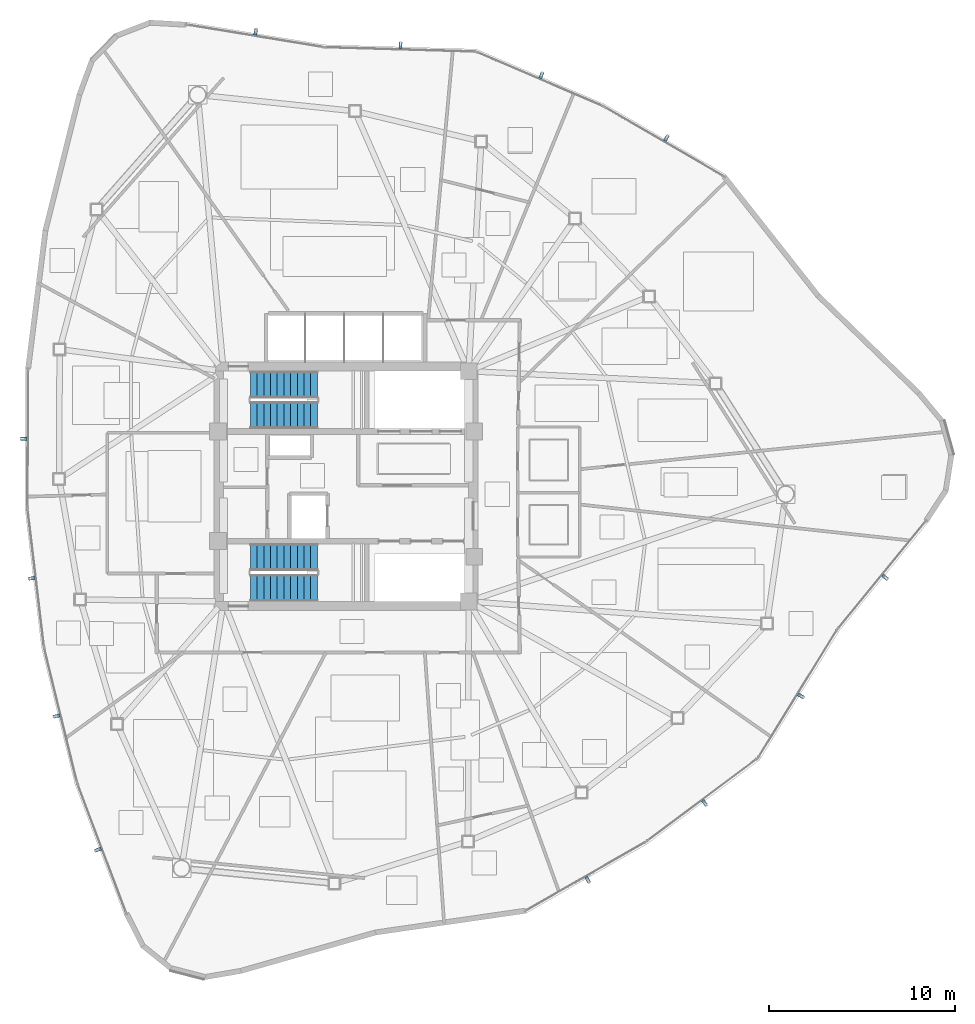
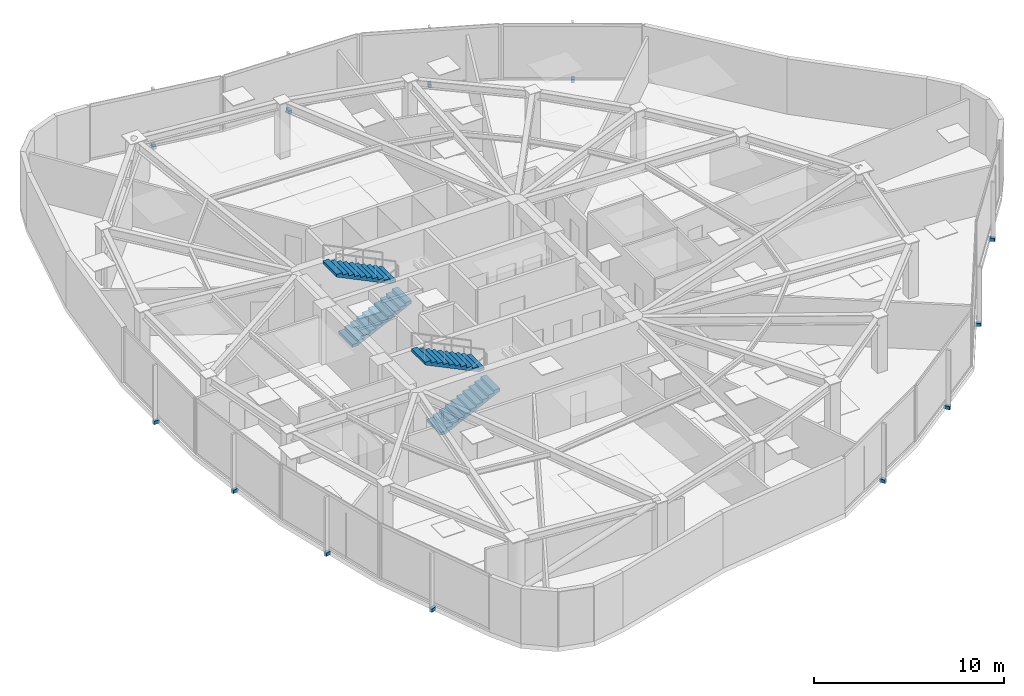
# One storey, part 14 of 18: 12 discrete accessories, 4 stair flights, 2 elements without a shape of their own.
"""IFC4 building model written with IfcOpenShell, lengths in metres."""

import ifcopenshell
import ifcopenshell.guid

model = None  # the IFC model being written
_history = None  # IfcOwnerHistory: only IFC2X3 demands one
_inside = {}  # id of a spatial element -> (the spatial element, [elements in it])
_under = {}  # id of a project, library or spatial element -> (it, [spatial elements below it])
_declared = {}  # id of a project -> (the project, [libraries it declares])
_typed = {}  # id of a type object -> (the type object, [elements of that type])
_made_of = {}  # id of a material, layer set ... -> (it, [elements and type objects made of it])


def new_model(schema):
    """Start an empty IFC model of exactly this schema.

    Asked for "IFC4X3", IfcOpenShell would pick the latest addendum, in which some entities
    have other attributes; the version numbers below select the first issue.
    IFC2X3 requires an IfcOwnerHistory on every rooted entity: one is made here for all.
    """
    global model, _history
    if schema == "IFC4X3":
        model = ifcopenshell.file(schema_version=(4, 3, 0, 0))
    else:
        model = ifcopenshell.file(schema=schema)
    _inside.clear()
    _under.clear()
    _declared.clear()
    _typed.clear()
    _made_of.clear()
    _history = None
    if model.schema == "IFC2X3":
        org = make("IfcOrganization", Name="unknown")
        user = make(
            "IfcPersonAndOrganization",
            ThePerson=make("IfcPerson", FamilyName="unknown"),
            TheOrganization=org,
        )
        app = make(
            "IfcApplication",
            ApplicationDeveloper=org,
            Version="unknown",
            ApplicationFullName="unknown",
            ApplicationIdentifier="unknown",
        )
        _history = make(
            "IfcOwnerHistory",
            OwningUser=user,
            OwningApplication=app,
            ChangeAction="ADDED",
            CreationDate=0,
        )
    return model


def make(cls, **values):
    """One entity of the class cls with the attributes given. An attribute that is None is left unset."""
    return model.create_entity(
        cls, **{name: value for name, value in values.items() if value is not None}
    )


def rooted(cls, **values):
    """An entity with a GlobalId (a new one), such as an element, a storey or a relation."""
    return make(cls, GlobalId=ifcopenshell.guid.new(), OwnerHistory=_history, **values)


def si_unit(unit_type, name, prefix=None):
    """IfcSIUnit, for example si_unit("LENGTHUNIT", "METRE", prefix="MILLI")."""
    return make("IfcSIUnit", UnitType=unit_type, Prefix=prefix, Name=name)


def assignment(units):
    """IfcUnitAssignment: the units of a project."""
    return None if units is None else make("IfcUnitAssignment", Units=units)


def point(xyz):
    """IfcCartesianPoint."""
    return None if xyz is None else make("IfcCartesianPoint", Coordinates=xyz)


def direction(xyz):
    """IfcDirection."""
    return None if xyz is None else make("IfcDirection", DirectionRatios=xyz)


def frame(location, z_axis=None, x_axis=None):
    """IfcAxis2Placement3D, a coordinate frame: its origin and axes. An axis left out is left unset."""
    return make(
        "IfcAxis2Placement3D",
        Location=point(location),
        Axis=direction(z_axis),
        RefDirection=direction(x_axis),
    )


def frame_2d(location, x_axis=None):
    """IfcAxis2Placement2D, a coordinate frame in the plane: its origin and x axis."""
    return make(
        "IfcAxis2Placement2D", Location=point(location), RefDirection=direction(x_axis)
    )


def origin():
    """The frame at (0, 0, 0) with its axes left unset."""
    return frame((0.0, 0.0, 0.0))


def origin_2d():
    """The frame at (0, 0) in the plane with its x axis left unset."""
    return frame_2d((0.0, 0.0))


def place(relative_to, where):
    """IfcLocalPlacement: puts the frame where relative to a parent placement (None: the world)."""
    return make(
        "IfcLocalPlacement", PlacementRelTo=relative_to, RelativePlacement=where
    )


def context(
    kind, dimensions, precision=None, world=None, true_north=None, identifier=None
):
    """IfcGeometricRepresentationContext, for example the 3D "Model" context."""
    return make(
        "IfcGeometricRepresentationContext",
        ContextIdentifier=identifier,
        ContextType=kind,
        CoordinateSpaceDimension=dimensions,
        Precision=precision,
        WorldCoordinateSystem=world,
        TrueNorth=true_north,
    )


def subcontext(parent, identifier, kind, view, scale=None):
    """IfcGeometricRepresentationSubContext, for example "Body" below "Model"."""
    return make(
        "IfcGeometricRepresentationSubContext",
        ContextIdentifier=identifier,
        ContextType=kind,
        ParentContext=parent,
        TargetScale=scale,
        TargetView=view,
    )


def project(units=None, contexts=None):
    """IfcProject with its units and contexts."""
    return rooted(
        "IfcProject",
        Name="project",
        RepresentationContexts=contexts,
        UnitsInContext=assignment(units),
    )


def spatial(cls, under=None, at=None, **own):
    """A site, building, storey or space (cls), placed at a placement, below another one or the project."""
    s = rooted(cls, ObjectPlacement=at, **own)
    if under is not None:
        _under.setdefault(under.id(), (under, []))[1].append(s)
    return s


def polyline(points):
    """IfcPolyline through the points."""
    return make("IfcPolyline", Points=[point(p) for p in points])


def profile(cls, at=None, kind="AREA", **sizes):
    """A parametric profile (cls). Its sizes go by their IFC names, for example OverallWidth=200.0."""
    return make(cls, ProfileType=kind, Position=at, **sizes)


def rectangle(**sizes):
    """IfcRectangleProfileDef."""
    return profile("IfcRectangleProfileDef", **sizes)


def outline(outer, holes=None, kind="AREA"):
    """IfcArbitraryClosedProfileDef: a profile drawn as a closed curve; with holes, ...WithVoids."""
    if holes is None:
        return make("IfcArbitraryClosedProfileDef", ProfileType=kind, OuterCurve=outer)
    return make(
        "IfcArbitraryProfileDefWithVoids",
        ProfileType=kind,
        OuterCurve=outer,
        InnerCurves=holes,
    )


def extrude(swept, where, along, depth):
    """IfcExtrudedAreaSolid: the profile swept, set in the frame where, extruded along a direction by depth."""
    return make(
        "IfcExtrudedAreaSolid",
        SweptArea=swept,
        Position=where,
        ExtrudedDirection=direction(along),
        Depth=depth,
    )


def shape(context_of_items, identifier, shape_type, items):
    """IfcShapeRepresentation: the items that make up one representation, for example the "Body"."""
    return make(
        "IfcShapeRepresentation",
        ContextOfItems=context_of_items,
        RepresentationIdentifier=identifier,
        RepresentationType=shape_type,
        Items=items,
    )


def source(mapping_origin, context_of_items, identifier, shape_type, items):
    """IfcRepresentationMap: a shape defined once, which mapped items show again and again."""
    return make(
        "IfcRepresentationMap",
        MappingOrigin=mapping_origin,
        MappedRepresentation=shape(context_of_items, identifier, shape_type, items),
    )


def transform(
    local_origin,
    x_axis=None,
    y_axis=None,
    z_axis=None,
    scale=None,
    scale2=None,
    scale3=None,
    uniform=True,
):
    """IfcCartesianTransformationOperator3D, or its non-uniform kind. x_axis, y_axis, z_axis: its Axis1, 2, 3."""
    if uniform:
        return make(
            "IfcCartesianTransformationOperator3D",
            Axis1=direction(x_axis),
            Axis2=direction(y_axis),
            LocalOrigin=point(local_origin),
            Scale=scale,
            Axis3=direction(z_axis),
        )
    return make(
        "IfcCartesianTransformationOperator3DnonUniform",
        Axis1=direction(x_axis),
        Axis2=direction(y_axis),
        LocalOrigin=point(local_origin),
        Scale=scale,
        Axis3=direction(z_axis),
        Scale2=scale2,
        Scale3=scale3,
    )


def mapped(mapping_source, mapping_target):
    """IfcMappedItem: shows the shape of a source again, moved by a transform."""
    return make(
        "IfcMappedItem", MappingSource=mapping_source, MappingTarget=mapping_target
    )


def material(Name=None, Category=None):
    """IfcMaterial."""
    return make("IfcMaterial", Name=Name, Category=Category)


def made_of(thing, what):
    """Note that an element or type object is made of a material, layer set ...; save() writes the relation."""
    if what is not None:
        _made_of.setdefault(what.id(), (what, []))[1].append(thing)
    return thing


def type_object(cls, material=None, **own):
    """A type object (cls), such as IfcWallType, which elements share."""
    return made_of(rooted(cls, **own), material)


def type_shapes(of_type, sources):
    """Give a type object the sources (RepresentationMaps) that its elements show as mapped items."""
    of_type.RepresentationMaps = sources


def element(
    cls,
    number,
    at=None,
    inside=None,
    cuts=None,
    type_object=None,
    material=None,
    context=None,
    identifier="Body",
    shape_type=None,
    held_by="IfcProductDefinitionShape",
    body=None,
    shapes=None,
    **own,
):
    """One element of the class cls, such as IfcWall. Its Tag is "e" and its number.

    at: its placement. inside: the storey or other place that contains it. cuts: it is an
    opening in that element (IfcRelVoidsElement). A single representation is given by context,
    identifier, shape_type and body (its items); several are given by shapes. held_by: the class
    of the entity that holds the representations. save() writes the other relations.
    """
    e = rooted(cls, Tag="e%d" % number, ObjectPlacement=at, **own)
    if body is not None:
        shapes = [shape(context, identifier, shape_type, body)]
    if shapes is not None:
        e.Representation = make(held_by, Representations=shapes)
    if inside is not None:
        _inside.setdefault(inside.id(), (inside, []))[1].append(e)
    if cuts is not None:
        rooted(
            "IfcRelVoidsElement", RelatingBuildingElement=cuts, RelatedOpeningElement=e
        )
    if type_object is not None:
        _typed.setdefault(type_object.id(), (type_object, []))[1].append(e)
    return made_of(e, material)


def aggregate(whole, parts):
    """IfcRelAggregates: a whole, such as a stair, and the parts it consists of."""
    return rooted("IfcRelAggregates", RelatingObject=whole, RelatedObjects=parts)


def save(model, path):
    """Write the relations noted so far, then the file.

    IfcRelAggregates (storeys below a building ...), IfcRelContainedInSpatialStructure (elements
    in a storey), IfcRelDefinesByType, IfcRelAssociatesMaterial and IfcRelDeclares: one each for
    every whole, place, type object, material and project.
    """
    for whole, parts in _under.values():
        aggregate(whole, parts)
    for where, things in _inside.values():
        rooted(
            "IfcRelContainedInSpatialStructure",
            RelatedElements=things,
            RelatingStructure=where,
        )
    for kind, things in _typed.values():
        rooted("IfcRelDefinesByType", RelatedObjects=things, RelatingType=kind)
    for what, things in _made_of.values():
        rooted("IfcRelAssociatesMaterial", RelatedObjects=things, RelatingMaterial=what)
    for by, libraries in _declared.values():
        rooted("IfcRelDeclares", RelatingContext=by, RelatedDefinitions=libraries)
    model.write(path)


model = new_model("IFC4")

# Units and contexts
model_context = context("Model", 3, precision=1e-05, world=origin(), true_north=direction((0.0, 1.0)))
body_context = subcontext(model_context, "Body", "Model", "MODEL_VIEW")
ifc_project = project(units=[si_unit("LENGTHUNIT", "METRE"), si_unit("AREAUNIT", "SQUARE_METRE"), si_unit("VOLUMEUNIT", "CUBIC_METRE"), si_unit("PLANEANGLEUNIT", "RADIAN"), si_unit("MASSUNIT", "GRAM", prefix="KILO")], contexts=[model_context])

# Site, building, storey
site_placement = place(None, origin())
site = spatial("IfcSite", under=ifc_project, at=site_placement, CompositionType="ELEMENT")
building_placement = place(site_placement, origin())
building = spatial("IfcBuilding", under=site, at=building_placement, Name="Tavelor Broadcast Tower", CompositionType="ELEMENT")
storey_placement = place(building_placement, frame((0.0, 0.0, 173.35009765625)))
storey = spatial("IfcBuildingStorey", under=building, at=storey_placement, Name="L41", CompositionType="ELEMENT", Elevation=173.35009765625)

# Stair, stair flights
ifc_material_1 = material(Name="Concrete C40/50", Category="concrete")
stair_type = type_object("IfcStairType", Name="Reinforced Concrete Protected Dogleg Stair 1450 mm", PredefinedType="HALF_TURN_STAIR", material=ifc_material_1)
stair_1_placement = place(storey_placement, origin())
stair_1 = element("IfcStair", 1, at=stair_1_placement, inside=storey, type_object=stair_type, Name="L41 Protected Core Exit Stair ST1", PredefinedType="HALF_TURN_STAIR")
stair_flight_type = type_object("IfcStairFlightType", Name="Reinforced Concrete Stair Flight 1450 mm", PredefinedType="STRAIGHT", material=ifc_material_1)
stair_flight_1_placement = place(storey_placement, frame((44.85009765625, 48.824951171875, 0.0), z_axis=(0.0, 0.0, 1.0), x_axis=(1.0, 0.0, 0.0)))
stair_flight_1 = element("IfcStairFlight", 2, at=stair_flight_1_placement, type_object=stair_flight_type, Name="ST1 flight 1", NumberOfRisers=11, NumberOfTreads=10, PredefinedType="STRAIGHT", RiserHeight=0.175, TreadLength=0.36, context=body_context, shape_type="SweptSolid", body=[
    extrude(outline(polyline([(0.0, 0.0), (0.0, 0.175048828125), (0.360107421875, 0.175048828125), (0.360107421875, 0.35009765625), (0.719970703125, 0.35009765625), (0.719970703125, 0.52490234375), (1.080078125, 0.52490234375), (1.080078125, 0.699951171875), (1.43994140625, 0.699951171875), (1.43994140625, 0.875), (1.800048828125, 0.875), (1.800048828125, 1.050048828125), (2.159912109375, 1.050048828125), (2.159912109375, 1.22509765625), (2.52001953125, 1.22509765625), (2.52001953125, 1.39990234375), (2.8798828125, 1.39990234375), (2.8798828125, 1.574951171875), (3.239990234375, 1.574951171875), (3.239990234375, 1.75), (3.60009765625, 1.75), (3.60009765625, 1.925048828125), (3.60009765625, 1.583251953125), (0.3427734375, 0.0), (0.0, 0.0)])), frame((0.0, 0.72509765625, 0.0), z_axis=(0.0, -1.0, 0.0), x_axis=(1.0, 0.0, 0.0)), (0.0, 0.0, 1.0), 1.449951171875),
])
stair_flight_2_placement = place(storey_placement, frame((48.449951171875, 50.47509765625, 1.9248046875), z_axis=(0.0, 0.0, 1.0), x_axis=(-1.0, 0.0, 0.0)))
stair_flight_2 = element("IfcStairFlight", 3, at=stair_flight_2_placement, type_object=stair_flight_type, Name="ST1 flight 2", NumberOfRisers=11, NumberOfTreads=10, PredefinedType="STRAIGHT", RiserHeight=0.175, TreadLength=0.36, context=body_context, shape_type="SweptSolid", body=[
    extrude(outline(polyline([(0.0, 0.0), (0.0, 0.175048828125), (0.360107421875, 0.175048828125), (0.360107421875, 0.35009765625), (0.719970703125, 0.35009765625), (0.719970703125, 0.52490234375), (1.080078125, 0.52490234375), (1.080078125, 0.699951171875), (1.43994140625, 0.699951171875), (1.43994140625, 0.875), (1.800048828125, 0.875), (1.800048828125, 1.050048828125), (2.159912109375, 1.050048828125), (2.159912109375, 1.22509765625), (2.52001953125, 1.22509765625), (2.52001953125, 1.39990234375), (2.8798828125, 1.39990234375), (2.8798828125, 1.574951171875), (3.239990234375, 1.574951171875), (3.239990234375, 1.75), (3.60009765625, 1.75), (3.60009765625, 1.925048828125), (3.60009765625, 1.583251953125), (0.3427734375, 0.0), (0.0, 0.0)])), frame((0.0, 0.72509765625, 0.0), z_axis=(0.0, -1.0, 0.0), x_axis=(1.0, 0.0, 0.0)), (0.0, 0.0, 1.0), 1.449951171875),
])
aggregate(stair_1, [stair_flight_1, stair_flight_2])

stair_2_placement = place(storey_placement, origin())
stair_2 = element("IfcStair", 4, at=stair_2_placement, inside=storey, type_object=stair_type, Name="L41 Protected Core Exit Stair ST2", PredefinedType="HALF_TURN_STAIR")
stair_flight_3_placement = place(storey_placement, frame((44.85009765625, 39.52490234375, 0.0), z_axis=(0.0, 0.0, 1.0), x_axis=(1.0, 0.0, 0.0)))
stair_flight_3 = element("IfcStairFlight", 5, at=stair_flight_3_placement, type_object=stair_flight_type, Name="ST2 flight 1", NumberOfRisers=11, NumberOfTreads=10, PredefinedType="STRAIGHT", RiserHeight=0.175, TreadLength=0.36, context=body_context, shape_type="SweptSolid", body=[
    extrude(outline(polyline([(0.0, 0.0), (0.0, 0.175048828125), (0.360107421875, 0.175048828125), (0.360107421875, 0.35009765625), (0.719970703125, 0.35009765625), (0.719970703125, 0.52490234375), (1.080078125, 0.52490234375), (1.080078125, 0.699951171875), (1.43994140625, 0.699951171875), (1.43994140625, 0.875), (1.800048828125, 0.875), (1.800048828125, 1.050048828125), (2.159912109375, 1.050048828125), (2.159912109375, 1.22509765625), (2.52001953125, 1.22509765625), (2.52001953125, 1.39990234375), (2.8798828125, 1.39990234375), (2.8798828125, 1.574951171875), (3.239990234375, 1.574951171875), (3.239990234375, 1.75), (3.60009765625, 1.75), (3.60009765625, 1.925048828125), (3.60009765625, 1.583251953125), (0.3427734375, 0.0), (0.0, 0.0)])), frame((0.0, 0.72509765625, 0.0), z_axis=(0.0, -1.0, 0.0), x_axis=(1.0, 0.0, 0.0)), (0.0, 0.0, 1.0), 1.449951171875),
])
stair_flight_4_placement = place(storey_placement, frame((48.449951171875, 41.175048828125, 1.9248046875), z_axis=(0.0, 0.0, 1.0), x_axis=(-1.0, 0.0, 0.0)))
stair_flight_4 = element("IfcStairFlight", 6, at=stair_flight_4_placement, type_object=stair_flight_type, Name="ST2 flight 2", NumberOfRisers=11, NumberOfTreads=10, PredefinedType="STRAIGHT", RiserHeight=0.175, TreadLength=0.36, context=body_context, shape_type="SweptSolid", body=[
    extrude(outline(polyline([(0.0, 0.0), (0.0, 0.175048828125), (0.360107421875, 0.175048828125), (0.360107421875, 0.35009765625), (0.719970703125, 0.35009765625), (0.719970703125, 0.52490234375), (1.080078125, 0.52490234375), (1.080078125, 0.699951171875), (1.43994140625, 0.699951171875), (1.43994140625, 0.875), (1.800048828125, 0.875), (1.800048828125, 1.050048828125), (2.159912109375, 1.050048828125), (2.159912109375, 1.22509765625), (2.52001953125, 1.22509765625), (2.52001953125, 1.39990234375), (2.8798828125, 1.39990234375), (2.8798828125, 1.574951171875), (3.239990234375, 1.574951171875), (3.239990234375, 1.75), (3.60009765625, 1.75), (3.60009765625, 1.925048828125), (3.60009765625, 1.583251953125), (0.3427734375, 0.0), (0.0, 0.0)])), frame((0.0, 0.72509765625, 0.0), z_axis=(0.0, -1.0, 0.0), x_axis=(1.0, 0.0, 0.0)), (0.0, 0.0, 1.0), 1.449951171875),
])
aggregate(stair_2, [stair_flight_3, stair_flight_4])

# Discrete accessories
ifc_material_2 = material(Name="Steel S355", Category="steel")
discrete_accessory_type = type_object("IfcDiscreteAccessoryType", Name="Stainless Baguette Outrigger Support Bracket 260x180", PredefinedType="BRACKET", material=ifc_material_2)
shared_shape = source(origin(), body_context, "Body", "SweptSolid", [
    extrude(rectangle(XDim=0.179931640625, YDim=0.340087890625, at=origin_2d()), origin(), (0.0, 0.0, 1.0), 0.216064453125),
])
type_shapes(discrete_accessory_type, [shared_shape])
for number, where, z_axis, x_axis, name in (
    (7, (32.640380859375, 47.564697265625, -0.25830078125), (0.0, 0.0, 1.0), (-0.003141587486, -0.999995065202, 0.0), "L41 Baguette Outrigger Bracket 421"),
    (8, (33.073974609375, 40.043212890625, -0.25830078125), (0.0, 0.0, 1.0), (0.11805735075, -0.993006778393, 0.0), "L41 Baguette Outrigger Bracket 422"),
    (9, (34.414794921875, 32.629150390625, -0.25830078125), (0.0, 0.0, 1.0), (0.237346815507, -0.971424978662, 0.0), "L41 Baguette Outrigger Bracket 423"),
    (10, (36.642822265625, 25.431884765625, -0.25830078125), (0.0, 0.0, 1.0), (0.353148290685, -0.935567359834, 0.0), "L41 Baguette Outrigger Bracket 424"),
    (11, (63.01171875, 23.810791015625, -0.25830078125), (0.0, 0.0, 1.0), (0.867591923867, 0.49727683803, 0.0), "L41 Baguette Outrigger Bracket 425"),
    (12, (69.30859375, 27.947265625, -0.25830078125), (0.0, 0.0, 1.0), (0.800940420843, 0.59874405405, 0.0), "L41 Baguette Outrigger Bracket 426"),
    (13, (74.495361328125, 33.708740234375, -0.25830078125), (0.0, 0.0, 1.0), (0.524877544859, 0.851177750474, 0.0), "L41 Baguette Outrigger Bracket 427"),
    (14, (79.02490234375, 40.0986328125, -0.25830078125), (0.0, 0.0, 1.0), (0.633650955225, 0.773619070953, 0.0), "L41 Baguette Outrigger Bracket 428"),
    (15, (67.24462890625, 63.745361328125, -0.25830078125), (0.0, 0.0, 1.0), (-0.864538064097, 0.50256734447, 0.0), "L41 Baguette Outrigger Bracket 429"),
    (16, (60.513916015625, 67.130615234375, -0.25830078125), (0.0, 0.0, 1.0), (-0.918997771593, 0.394262724343, 0.0), "L41 Baguette Outrigger Bracket 430"),
    (17, (52.930908203125, 68.74169921875, -0.25830078125), (0.0, 0.0, 1.0), (-0.999580327476, 0.028968412487, 0.0), "L41 Baguette Outrigger Bracket 431"),
    (18, (45.132080078125, 69.469482421875, -0.25830078125), (0.0, 0.0, 1.0), (-0.98679924591, 0.161948288881, 0.0), "L41 Baguette Outrigger Bracket 432"),
):
    element("IfcDiscreteAccessory", number, at=place(storey_placement, frame(where, z_axis=z_axis, x_axis=x_axis)), inside=storey, type_object=discrete_accessory_type, Name=name, PredefinedType="BRACKET", context=body_context, shape_type="MappedRepresentation", body=[
        mapped(shared_shape, transform((0.0, 0.0, 0.0), scale=1.0)),
    ])

save(model, "model.ifc")
